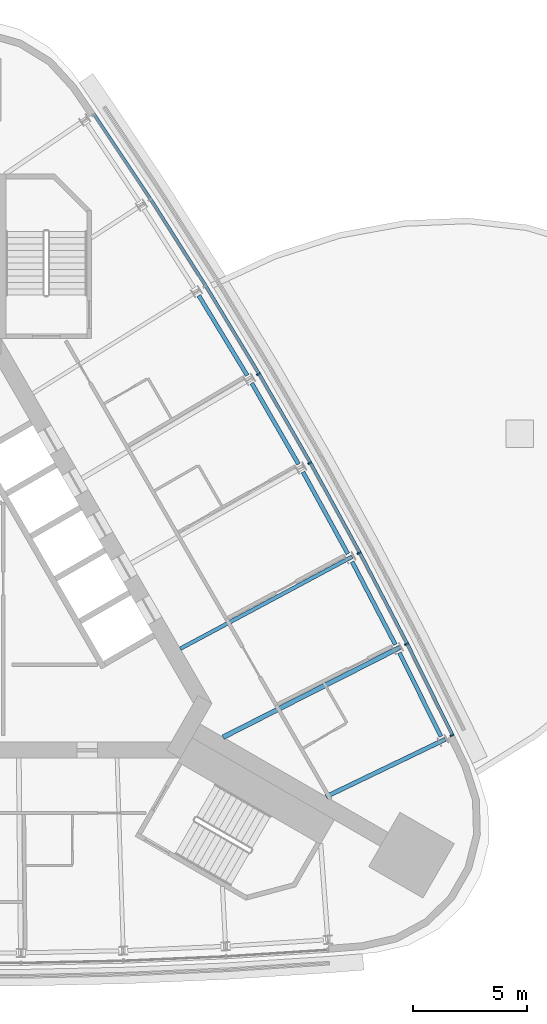
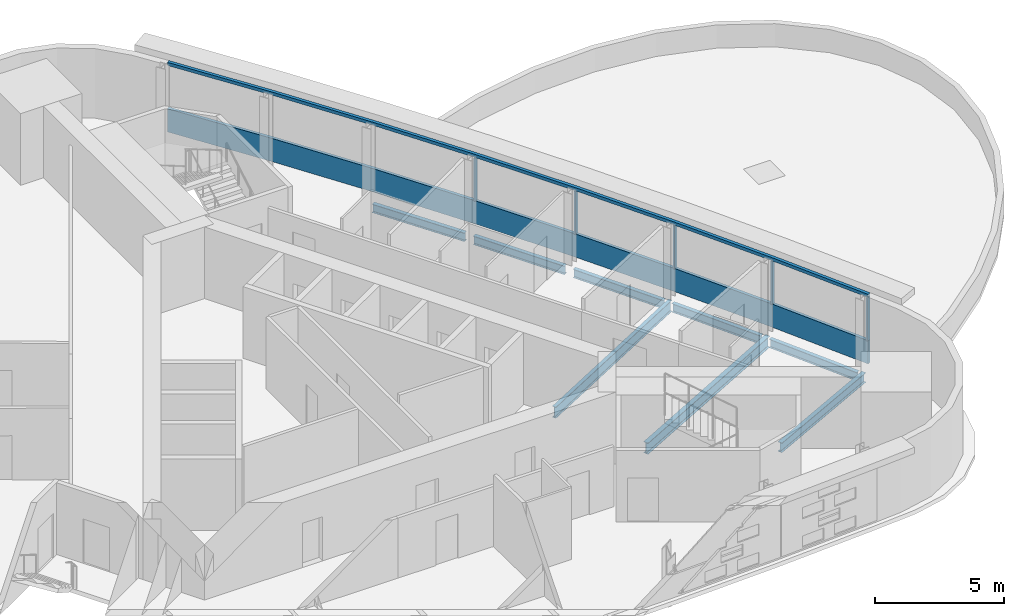
# One storey, part 5 of 12: 8 beams, 7 members, 1 element without a shape of its own.
"""IFC4 building model written with IfcOpenShell, lengths in metres."""

from ifc_helpers import new_model, si_unit, direction, frame, origin, origin_2d, place, context, subcontext, project, spatial, polyline, rectangle, i_section, outline, extrude, material, material_profile, profile_set, type_object, element, aggregate, save


model = new_model("IFC4")

# Units and contexts
model_context = context("Model", 3, precision=1e-05, world=origin(), true_north=direction((0.0, 1.0)))
body_context = subcontext(model_context, "Body", "Model", "MODEL_VIEW")
ifc_project = project(units=[si_unit("LENGTHUNIT", "METRE"), si_unit("AREAUNIT", "SQUARE_METRE"), si_unit("VOLUMEUNIT", "CUBIC_METRE"), si_unit("PLANEANGLEUNIT", "RADIAN"), si_unit("MASSUNIT", "GRAM", prefix="KILO")], contexts=[model_context])

# Site, building, storey
site_placement = place(None, origin())
site = spatial("IfcSite", under=ifc_project, at=site_placement, CompositionType="ELEMENT")
building_placement = place(site_placement, origin())
building = spatial("IfcBuilding", under=site, at=building_placement, Name="Noor Cloister Tower", CompositionType="ELEMENT")
storey_placement = place(building_placement, frame((0.0, 0.0, 185.10009765625)))
storey = spatial("IfcBuildingStorey", under=building, at=storey_placement, Name="L47", CompositionType="ELEMENT", Elevation=185.10009765625)

# Curtain wall, members
ifc_material_1 = material(Name="Aluminium 6063-T6 anodised", Category="aluminium")
curtain_wall_type = type_object("IfcCurtainWallType", Name="Ribbon curtain wall, upper tower CW5", PredefinedType="NOTDEFINED", material=ifc_material_1)
curtain_wall_placement = place(storey_placement, origin())
curtain_wall = element("IfcCurtainWall", 1, at=curtain_wall_placement, inside=storey, type_object=curtain_wall_type, Name="CW5 L47 NE run 3", PredefinedType="NOTDEFINED")
ifc_material_2 = material(Name="Aluminium 6063-T6 anodised", Category="aluminium")
member_type_1 = type_object("IfcMemberType", Name="Head transom CW5 150", PredefinedType="USERDEFINED", material=ifc_material_2)
member_1_placement = place(storey_placement, frame((0.0, 0.0, 3.14990234375)))
member_1 = element("IfcMember", 2, at=member_1_placement, type_object=member_type_1, Name="CW5 head transom", ObjectType="TRANSOM", PredefinedType="USERDEFINED", context=body_context, shape_type="SweptSolid", body=[
    extrude(outline(polyline([(21.2294921875, -5.91259765625), (19.234375, -1.879150390625), (17.1533203125, 2.110595703125), (14.9873046875, 6.054931640625), (12.7373046875, 9.951904296875), (10.404541015625, 13.7998046875), (7.98974609375, 17.59716796875), (5.494384765625, 21.341552734375), (5.3779296875, 21.263916015625), (7.872314453125, 17.520751953125), (10.285400390625, 13.72607421875), (12.61669921875, 9.880615234375), (14.865234375, 5.986083984375), (17.02978515625, 2.04443359375), (19.109619140625, -1.942626953125), (21.10400390625, -5.974609375), (21.2294921875, -5.91259765625)])), origin(), (0.0, 0.0, 1.0), 0.14990234375),
])
ifc_material_3 = material(Name="Aluminium 6063-T6 anodised", Category="aluminium")
ifc_material_profile_1 = material_profile(ifc_material_3, rectangle(XDim=0.179931640625, YDim=0.070068359375, at=origin_2d()), Name="180 x 70 mullion")
ifc_profile_set_1 = profile_set([ifc_material_profile_1], Name="Aluminium 6063-T6 anodised")
member_type_2 = type_object("IfcMemberType", Name="Mullion CW5 70 x 180", PredefinedType="MULLION", material=ifc_profile_set_1)
member_2_placement = place(storey_placement, frame((21.12451171875, -5.925537109375, 1.099853515625), z_axis=(0.0, 0.0, 1.0), x_axis=(-0.896329965837, -0.443387632149, 0.0)))
member_2 = element("IfcMember", 3, at=member_2_placement, type_object=member_type_2, Name="CW5 mullion 1", PredefinedType="MULLION", context=body_context, shape_type="SweptSolid", body=[
    extrude(rectangle(XDim=0.179931640625, YDim=0.070068359375, at=origin_2d()), origin(), (0.0, 0.0, 1.0), 2.050048828125),
])
member_3_placement = place(storey_placement, frame((19.145263671875, -1.924560546875, 1.099853515625), z_axis=(0.0, 0.0, 1.0), x_axis=(-0.891532671341, -0.452956395178, 0.0)))
member_3 = element("IfcMember", 4, at=member_3_placement, type_object=member_type_2, Name="CW5 mullion 2", PredefinedType="MULLION", context=body_context, shape_type="SweptSolid", body=[
    extrude(rectangle(XDim=0.179931640625, YDim=0.070068359375, at=origin_2d()), origin(), (0.0, 0.0, 1.0), 2.050048828125),
])
member_4_placement = place(storey_placement, frame((17.065185546875, 2.0634765625, 1.099853515625), z_axis=(0.0, 0.0, 1.0), x_axis=(-0.881632209176, -0.471937122659, 0.0)))
member_4 = element("IfcMember", 5, at=member_4_placement, type_object=member_type_2, Name="CW5 mullion 3", PredefinedType="MULLION", context=body_context, shape_type="SweptSolid", body=[
    extrude(rectangle(XDim=0.179931640625, YDim=0.070068359375, at=origin_2d()), origin(), (0.0, 0.0, 1.0), 2.050048828125),
])
member_5_placement = place(storey_placement, frame((14.900146484375, 6.005859375, 1.099853515625), z_axis=(0.0, 0.0, 1.0), x_axis=(-0.871327706284, -0.490701567413, 0.0)))
member_5 = element("IfcMember", 6, at=member_5_placement, type_object=member_type_2, Name="CW5 mullion 4", PredefinedType="MULLION", context=body_context, shape_type="SweptSolid", body=[
    extrude(rectangle(XDim=0.179931640625, YDim=0.070068359375, at=origin_2d()), origin(), (0.0, 0.0, 1.0), 2.050048828125),
])
member_6_placement = place(storey_placement, frame((12.651123046875, 9.90087890625, 1.099853515625), z_axis=(0.0, 0.0, 1.0), x_axis=(-0.860623876199, -0.509241144957, 0.0)))
member_6 = element("IfcMember", 7, at=member_6_placement, type_object=member_type_2, Name="CW5 mullion 5", PredefinedType="MULLION", context=body_context, shape_type="SweptSolid", body=[
    extrude(rectangle(XDim=0.179931640625, YDim=0.070068359375, at=origin_2d()), origin(), (0.0, 0.0, 1.0), 2.050048828125),
])

# Beams
ifc_material_4 = material(Name="Steel ASTM A992 Gr 50", Category="steel")
ifc_material_profile_2 = material_profile(ifc_material_4, i_section(OverallWidth=0.19091796875, OverallDepth=0.45703125, WebThickness=0.009033203125, FlangeThickness=0.014404296875, FilletRadius=0.01025390625, at=origin_2d()), Name="W460x74")
ifc_profile_set_2 = profile_set([ifc_material_profile_2], Name="Steel ASTM A992 Gr 50")
beam_type_1 = type_object("IfcBeamType", Name="Radial beam W460x74", PredefinedType="BEAM", material=ifc_profile_set_2)
beam_1_placement = place(storey_placement, frame((20.8349609375, -6.1025390625, -0.4287109375), z_axis=(-0.901024258872, -0.433768699798, 0.0), x_axis=(0.433768699798, -0.901024258872, 0.0)))
element("IfcBeam", 8, at=beam_1_placement, inside=storey, type_object=beam_type_1, Name="Radial beam NE 01 L47", PredefinedType="BEAM", context=body_context, shape_type="SweptSolid", body=[
    extrude(i_section(OverallWidth=0.19091796875, OverallDepth=0.45703125, WebThickness=0.009033203125, FlangeThickness=0.014404296875, FilletRadius=0.01025390625, at=origin_2d()), origin(), (0.0, 0.0, 1.0), 5.788818359375),
])
ifc_material_5 = material(Name="Steel ASTM A992 Gr 50", Category="steel")
ifc_material_profile_3 = material_profile(ifc_material_5, i_section(OverallWidth=0.166015625, OverallDepth=0.528076171875, WebThickness=0.009765625, FlangeThickness=0.013671875, FilletRadius=0.0126953125, at=origin_2d()), Name="W530x74")
ifc_profile_set_3 = profile_set([ifc_material_profile_3], Name="Steel ASTM A992 Gr 50")
beam_type_2 = type_object("IfcBeamType", Name="Radial beam W530x74", PredefinedType="BEAM", material=ifc_profile_set_3)
beam_2_placement = place(storey_placement, frame((16.76708984375, 1.90380859375, -0.464111328125), z_axis=(-0.88163488664, -0.471932120817, 0.0), x_axis=(0.471932120817, -0.88163488664, 0.0)))
element("IfcBeam", 9, at=beam_2_placement, inside=storey, type_object=beam_type_2, Name="Radial beam NE 03 L47", PredefinedType="BEAM", context=body_context, shape_type="SweptSolid", body=[
    extrude(i_section(OverallWidth=0.166015625, OverallDepth=0.528076171875, WebThickness=0.009765625, FlangeThickness=0.013671875, FilletRadius=0.0126953125, at=origin_2d()), origin(), (0.0, 0.0, 1.0), 8.548828125),
])
ifc_material_6 = material(Name="Steel ASTM A992 Gr 50", Category="steel")
ifc_material_profile_4 = material_profile(ifc_material_6, i_section(OverallWidth=0.208984375, OverallDepth=0.532958984375, WebThickness=0.01025390625, FlangeThickness=0.015625, FilletRadius=0.0126953125, at=origin_2d()), Name="W530x92")
ifc_profile_set_4 = profile_set([ifc_material_profile_4], Name="Steel ASTM A992 Gr 50")
beam_type_3 = type_object("IfcBeamType", Name="Radial beam W530x92", PredefinedType="BEAM", material=ifc_profile_set_4)
beam_3_placement = place(storey_placement, frame((18.843994140625, -2.07763671875, -0.466552734375), z_axis=(-0.891533608918, -0.452954549784, 0.0), x_axis=(0.452954549784, -0.891533608918, 0.0)))
element("IfcBeam", 10, at=beam_3_placement, inside=storey, type_object=beam_type_3, Name="Radial beam NE 02 L47", PredefinedType="BEAM", context=body_context, shape_type="SweptSolid", body=[
    extrude(i_section(OverallWidth=0.208984375, OverallDepth=0.532958984375, WebThickness=0.01025390625, FlangeThickness=0.015625, FilletRadius=0.0126953125, at=origin_2d()), origin(), (0.0, 0.0, 1.0), 8.678466796875),
])

# Member
ifc_material_7 = material(Name="Aluminium 6063-T6 anodised", Category="aluminium")
member_type_3 = type_object("IfcMemberType", Name="Sill transom CW5 1100", PredefinedType="USERDEFINED", material=ifc_material_7)
member_7_placement = place(storey_placement, origin())
member_7 = element("IfcMember", 11, at=member_7_placement, type_object=member_type_3, Name="CW5 sill transom", ObjectType="TRANSOM", PredefinedType="USERDEFINED", context=body_context, shape_type="SweptSolid", body=[
    extrude(outline(polyline([(21.2294921875, -5.91259765625), (19.234375, -1.879150390625), (17.1533203125, 2.110595703125), (14.9873046875, 6.054931640625), (12.7373046875, 9.951904296875), (10.404541015625, 13.7998046875), (7.98974609375, 17.59716796875), (5.494384765625, 21.341552734375), (5.3779296875, 21.263916015625), (7.872314453125, 17.520751953125), (10.285400390625, 13.72607421875), (12.61669921875, 9.880615234375), (14.865234375, 5.986083984375), (17.02978515625, 2.04443359375), (19.109619140625, -1.942626953125), (21.10400390625, -5.974609375), (21.2294921875, -5.91259765625)])), origin(), (0.0, 0.0, 1.0), 1.099853515625),
])

aggregate(curtain_wall, [member_2, member_3, member_4, member_5, member_6, member_7, member_1])

# Beams
ifc_material_8 = material(Name="Steel ASTM A992 Gr 50", Category="steel")
ifc_material_profile_5 = material_profile(ifc_material_8, i_section(OverallWidth=0.177978515625, OverallDepth=0.406005859375, WebThickness=0.0078125, FlangeThickness=0.0126953125, FilletRadius=0.01025390625, at=origin_2d()), Name="W410x60")
ifc_profile_set_5 = profile_set([ifc_material_profile_5], Name="Steel ASTM A992 Gr 50")
beam_type_4 = type_object("IfcBeamType", Name="Spandrel beam W410x60", PredefinedType="SPANDREL", material=ifc_profile_set_5)
beam_4_placement = place(storey_placement, frame((20.646728515625, -5.974609375, -0.403076171875), z_axis=(-0.443417035745, 0.896315420157, 0.0), x_axis=(-0.896315420157, -0.443417035745, 0.0)))
element("IfcBeam", 12, at=beam_4_placement, inside=storey, type_object=beam_type_4, Name="Spandrel beam NE 01 L47", PredefinedType="SPANDREL", context=body_context, shape_type="SweptSolid", body=[
    extrude(i_section(OverallWidth=0.177978515625, OverallDepth=0.406005859375, WebThickness=0.0078125, FlangeThickness=0.0126953125, FilletRadius=0.01025390625, at=origin_2d()), origin(), (0.0, 0.0, 1.0), 4.09423828125),
])
beam_5_placement = place(storey_placement, frame((18.65283203125, -1.95361328125, -0.403076171875), z_axis=(-0.462462064821, 0.886639068957, 0.0), x_axis=(-0.886639068957, -0.462462064821, 0.0)))
element("IfcBeam", 13, at=beam_5_placement, inside=storey, type_object=beam_type_4, Name="Spandrel beam NE 02 L47", PredefinedType="SPANDREL", context=body_context, shape_type="SweptSolid", body=[
    extrude(i_section(OverallWidth=0.177978515625, OverallDepth=0.406005859375, WebThickness=0.0078125, FlangeThickness=0.0126953125, FilletRadius=0.01025390625, at=origin_2d()), origin(), (0.0, 0.0, 1.0), 4.093994140625),
])
beam_6_placement = place(storey_placement, frame((16.573486328125, 2.023681640625, -0.403076171875), z_axis=(-0.481348653878, 0.87652921994, 0.0), x_axis=(-0.87652921994, -0.481348653878, 0.0)))
element("IfcBeam", 14, at=beam_6_placement, inside=storey, type_object=beam_type_4, Name="Spandrel beam NE 03 L47", PredefinedType="SPANDREL", context=body_context, shape_type="SweptSolid", body=[
    extrude(i_section(OverallWidth=0.177978515625, OverallDepth=0.406005859375, WebThickness=0.0078125, FlangeThickness=0.0126953125, FilletRadius=0.01025390625, at=origin_2d()), origin(), (0.0, 0.0, 1.0), 4.09423828125),
])
beam_7_placement = place(storey_placement, frame((14.409423828125, 5.95556640625, -0.403076171875), z_axis=(-0.499961627599, 0.866047556967, 0.0), x_axis=(-0.866047556967, -0.499961627599, 0.0)))
element("IfcBeam", 15, at=beam_7_placement, inside=storey, type_object=beam_type_4, Name="Spandrel beam NE 04 L47", PredefinedType="SPANDREL", context=body_context, shape_type="SweptSolid", body=[
    extrude(i_section(OverallWidth=0.177978515625, OverallDepth=0.406005859375, WebThickness=0.0078125, FlangeThickness=0.0126953125, FilletRadius=0.01025390625, at=origin_2d()), origin(), (0.0, 0.0, 1.0), 4.093994140625),
])
beam_8_placement = place(storey_placement, frame((12.161865234375, 9.84033203125, -0.403076171875), z_axis=(-0.518436511351, 0.855116122932, 0.0), x_axis=(-0.855116122932, -0.518436511351, 0.0)))
element("IfcBeam", 16, at=beam_8_placement, inside=storey, type_object=beam_type_4, Name="Spandrel beam NE 05 L47", PredefinedType="SPANDREL", context=body_context, shape_type="SweptSolid", body=[
    extrude(i_section(OverallWidth=0.177978515625, OverallDepth=0.406005859375, WebThickness=0.0078125, FlangeThickness=0.0126953125, FilletRadius=0.01025390625, at=origin_2d()), origin(), (0.0, 0.0, 1.0), 4.09423828125),
])

save(model, "model.ifc")
